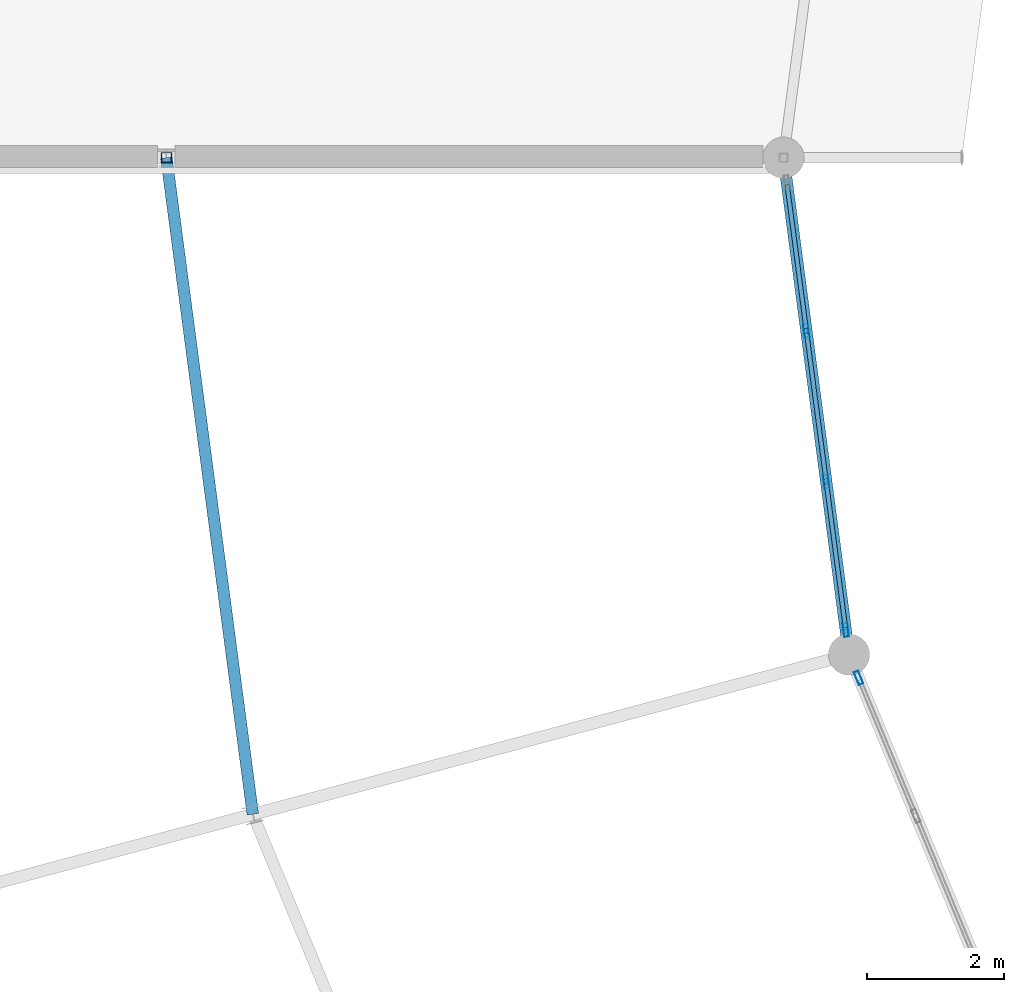
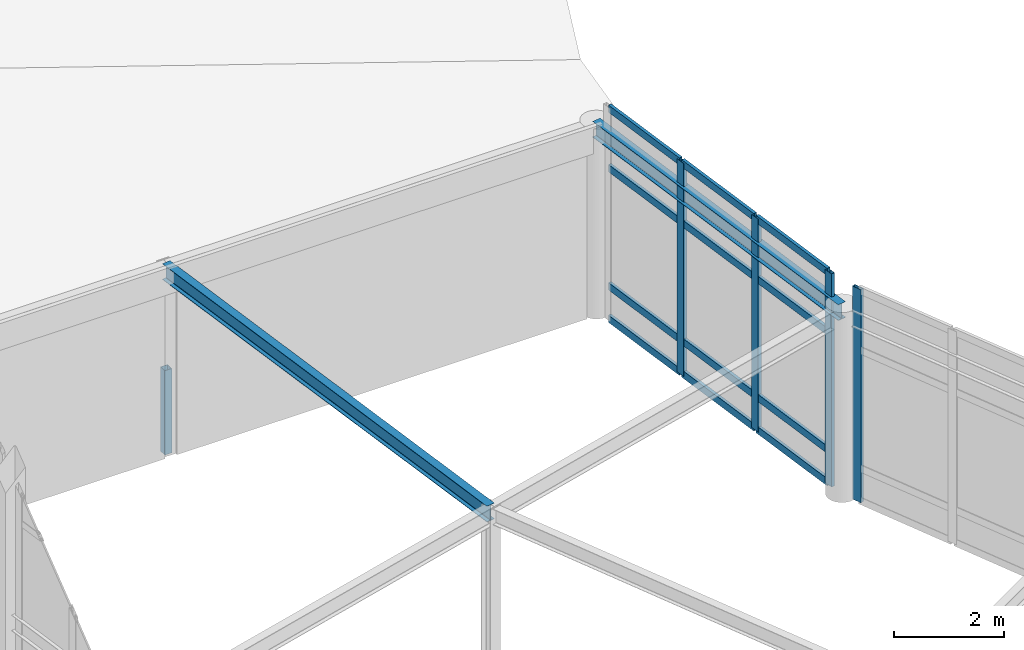
# One storey, part 33 of 93: 17 members, 2 beams, 2 elements without a shape of their own.
"""IFC4 building model written with IfcOpenShell, lengths in metres."""

from ifc_helpers import new_model, si_unit, direction, frame, origin, origin_2d, place, context, subcontext, project, spatial, hollow_rectangle, i_section, extrude, material, material_profile, profile_set, type_object, element, aggregate, save


model = new_model("IFC4")

# Units and contexts
model_context = context("Model", 3, precision=1e-05, world=origin(), true_north=direction((0.0, 1.0)))
body_context = subcontext(model_context, "Body", "Model", "MODEL_VIEW")
ifc_project = project(units=[si_unit("LENGTHUNIT", "METRE"), si_unit("AREAUNIT", "SQUARE_METRE"), si_unit("VOLUMEUNIT", "CUBIC_METRE"), si_unit("PLANEANGLEUNIT", "RADIAN"), si_unit("MASSUNIT", "GRAM", prefix="KILO")], contexts=[model_context])

# Site, building, storey
site_placement = place(None, origin())
site = spatial("IfcSite", under=ifc_project, at=site_placement, CompositionType="ELEMENT")
building_placement = place(site_placement, origin())
building = spatial("IfcBuilding", under=site, at=building_placement, Name="Vondelvale Polytechnic", CompositionType="ELEMENT")
storey_placement = place(building_placement, frame((0.0, 0.0, 18.0)))
storey = spatial("IfcBuildingStorey", under=building, at=storey_placement, Name="L04", CompositionType="ELEMENT", Elevation=18.0)

# Beams
ifc_material_1 = material(Name="Steel 300PLUS (fy = 300 MPa)", Category="steel")
ifc_material_profile_1 = material_profile(ifc_material_1, i_section(OverallWidth=0.1708984375, OverallDepth=0.35205078125, WebThickness=0.0068359375, FlangeThickness=0.009765625, FilletRadius=0.011474609375, at=origin_2d()), Name="360UB44.7")
ifc_profile_set_1 = profile_set([ifc_material_profile_1], Name="Steel 300PLUS (fy = 300 MPa)")
beam_type = type_object("IfcBeamType", Name="BM-UB360L", PredefinedType="BEAM", material=ifc_profile_set_1)
beam_1_placement = place(storey_placement, frame((74.0, 72.0, 4.02392578125), z_axis=(0.13053140969, -0.991444174467, 0.0), x_axis=(0.991444174467, 0.13053140969, 0.0)))
element("IfcBeam", 1, at=beam_1_placement, inside=storey, type_object=beam_type, Name="L04 RE B-24", PredefinedType="BEAM", context=body_context, shape_type="SweptSolid", body=[
    extrude(i_section(OverallWidth=0.1708984375, OverallDepth=0.35205078125, WebThickness=0.0068359375, FlangeThickness=0.009765625, FilletRadius=0.011474609375, at=origin_2d()), origin(), (0.0, 0.0, 1.0), 7.309326171875),
])
beam_2_placement = place(storey_placement, frame((65.0, 72.0, 4.02392578125), z_axis=(0.130524472487, -0.991445087779, 0.0), x_axis=(0.991445087779, 0.130524472487, 0.0)))
element("IfcBeam", 2, at=beam_2_placement, inside=storey, type_object=beam_type, Name="L04 RE B-24", PredefinedType="BEAM", context=body_context, shape_type="SweptSolid", body=[
    extrude(i_section(OverallWidth=0.1708984375, OverallDepth=0.35205078125, WebThickness=0.0068359375, FlangeThickness=0.009765625, FilletRadius=0.011474609375, at=origin_2d()), origin(), (0.0, 0.0, 1.0), 9.658935546875),
])

# Curtain wall, members
ifc_material_2 = material(Name="Anodised extruded aluminium 6063-T6", Category="aluminium")
curtain_wall_type = type_object("IfcCurtainWallType", Name="CW-RING-CLOISTER", PredefinedType="NOTDEFINED", material=ifc_material_2)
curtain_wall_1_placement = place(storey_placement, origin())
curtain_wall_1 = element("IfcCurtainWall", 3, at=curtain_wall_1_placement, inside=storey, type_object=curtain_wall_type, Name="L04 architectural curtain wall CW-03-271", PredefinedType="NOTDEFINED")
ifc_material_profile_2 = material_profile(ifc_material_2, hollow_rectangle(XDim=0.070068359375, YDim=0.199951171875, WallThickness=0.00390625, at=origin_2d()), Name="CW-MUL-200x70")
ifc_profile_set_2 = profile_set([ifc_material_profile_2], Name="Anodised extruded aluminium 6063-T6")
member_type_1 = type_object("IfcMemberType", Name="CW-MUL-70x200", PredefinedType="MULLION", material=ifc_profile_set_2)
member_1_placement = place(storey_placement, frame((74.332275390625, 69.475830078125, 0.0), z_axis=(0.0, 0.0, 1.0), x_axis=(0.99144462243, 0.130528007165, 0.0)))
member_1 = element("IfcMember", 4, at=member_1_placement, type_object=member_type_1, Name="CW-03-271 mullion 2", PredefinedType="MULLION", context=body_context, shape_type="SweptSolid", body=[
    extrude(hollow_rectangle(XDim=0.070068359375, YDim=0.199951171875, WallThickness=0.00390625, at=origin_2d()), origin(), (0.0, 0.0, 1.0), 4.713134765625),
])
member_2_placement = place(storey_placement, frame((74.621826171875, 67.27734375, 0.0), z_axis=(0.0, 0.0, 1.0), x_axis=(0.99144462243, 0.130528007165, 0.0)))
member_2 = element("IfcMember", 5, at=member_2_placement, type_object=member_type_1, Name="CW-03-271 mullion 3", PredefinedType="MULLION", context=body_context, shape_type="SweptSolid", body=[
    extrude(hollow_rectangle(XDim=0.070068359375, YDim=0.199951171875, WallThickness=0.00390625, at=origin_2d()), origin(), (0.0, 0.0, 1.0), 4.713134765625),
])
member_3_placement = place(storey_placement, frame((74.90673828125, 65.113525390625, 0.0), z_axis=(0.0, 0.0, 1.0), x_axis=(0.99144462243, 0.130528007165, 0.0)))
member_3 = element("IfcMember", 6, at=member_3_placement, type_object=member_type_1, Name="CW-03-271 mullion 4", PredefinedType="MULLION", context=body_context, shape_type="SweptSolid", body=[
    extrude(hollow_rectangle(XDim=0.070068359375, YDim=0.199951171875, WallThickness=0.00390625, at=origin_2d()), origin(), (0.0, 0.0, 1.0), 4.713134765625),
])

# Curtain wall, member
curtain_wall_2_placement = place(storey_placement, origin())
curtain_wall_2 = element("IfcCurtainWall", 7, at=curtain_wall_2_placement, inside=storey, type_object=curtain_wall_type, Name="L04 architectural curtain wall CW-03-291", PredefinedType="NOTDEFINED")
member_4_placement = place(storey_placement, frame((75.09375, 64.415771484375, 0.0), z_axis=(0.0, 0.0, 1.0), x_axis=(0.923881562419, 0.382678531697, 0.0)))
member_4 = element("IfcMember", 8, at=member_4_placement, type_object=member_type_1, Name="CW-03-291 mullion 1", PredefinedType="MULLION", context=body_context, shape_type="SweptSolid", body=[
    extrude(hollow_rectangle(XDim=0.070068359375, YDim=0.199951171875, WallThickness=0.00390625, at=origin_2d()), origin(), (0.0, 0.0, 1.0), 4.713134765625),
])
aggregate(curtain_wall_2, [member_4])

# Member
ifc_material_profile_3 = material_profile(ifc_material_2, hollow_rectangle(XDim=0.06494140625, YDim=0.159912109375, WallThickness=0.00341796875, at=origin_2d()), Name="CW-TRN-160x65")
ifc_profile_set_3 = profile_set([ifc_material_profile_3], Name="Anodised extruded aluminium 6063-T6")
member_type_2 = type_object("IfcMemberType", Name="CW-TRN-70x160", PredefinedType="USERDEFINED", material=ifc_profile_set_3)
member_5_placement = place(storey_placement, frame((74.052001953125, 71.604736328125, 0.032470703125), z_axis=(0.130604000296, -0.99143461464, 0.0), x_axis=(0.99143461464, 0.130604000296, 0.0)))
member_5 = element("IfcMember", 9, at=member_5_placement, type_object=member_type_2, Name="CW-03-271 transom 1.1", ObjectType="TRANSOM", PredefinedType="USERDEFINED", context=body_context, shape_type="SweptSolid", body=[
    extrude(hollow_rectangle(XDim=0.06494140625, YDim=0.159912109375, WallThickness=0.00341796875, at=origin_2d()), origin(), (0.0, 0.0, 1.0), 2.1123046875),
])

member_6_placement = place(storey_placement, frame((74.052001953125, 71.604736328125, 0.75), z_axis=(0.130604000296, -0.99143461464, 0.0), x_axis=(0.99143461464, 0.130604000296, 0.0)))
member_6 = element("IfcMember", 10, at=member_6_placement, type_object=member_type_2, Name="CW-03-271 transom 1.2", ObjectType="TRANSOM", PredefinedType="USERDEFINED", context=body_context, shape_type="SweptSolid", body=[
    extrude(hollow_rectangle(XDim=0.06494140625, YDim=0.159912109375, WallThickness=0.00341796875, at=origin_2d()), origin(), (0.0, 0.0, 1.0), 2.1123046875),
])

member_7_placement = place(storey_placement, frame((74.052001953125, 71.604736328125, 3.36328125), z_axis=(0.130604000296, -0.99143461464, 0.0), x_axis=(0.99143461464, 0.130604000296, 0.0)))
member_7 = element("IfcMember", 11, at=member_7_placement, type_object=member_type_2, Name="CW-03-271 transom 1.3", ObjectType="TRANSOM", PredefinedType="USERDEFINED", context=body_context, shape_type="SweptSolid", body=[
    extrude(hollow_rectangle(XDim=0.06494140625, YDim=0.159912109375, WallThickness=0.00341796875, at=origin_2d()), origin(), (0.0, 0.0, 1.0), 2.1123046875),
])

member_8_placement = place(storey_placement, frame((74.052001953125, 71.604736328125, 4.6806640625), z_axis=(0.130604000296, -0.99143461464, 0.0), x_axis=(0.99143461464, 0.130604000296, 0.0)))
member_8 = element("IfcMember", 12, at=member_8_placement, type_object=member_type_2, Name="CW-03-271 transom 1.4", ObjectType="TRANSOM", PredefinedType="USERDEFINED", context=body_context, shape_type="SweptSolid", body=[
    extrude(hollow_rectangle(XDim=0.06494140625, YDim=0.159912109375, WallThickness=0.00341796875, at=origin_2d()), origin(), (0.0, 0.0, 1.0), 2.1123046875),
])

member_9_placement = place(storey_placement, frame((74.3369140625, 69.441162109375, 0.032470703125), z_axis=(0.1305103875, -0.991446941977, 0.0), x_axis=(0.991446941977, 0.1305103875, 0.0)))
member_9 = element("IfcMember", 13, at=member_9_placement, type_object=member_type_2, Name="CW-03-271 transom 2.1", ObjectType="TRANSOM", PredefinedType="USERDEFINED", context=body_context, shape_type="SweptSolid", body=[
    extrude(hollow_rectangle(XDim=0.06494140625, YDim=0.159912109375, WallThickness=0.00341796875, at=origin_2d()), origin(), (0.0, 0.0, 1.0), 2.1474609375),
])

member_10_placement = place(storey_placement, frame((74.3369140625, 69.441162109375, 0.75), z_axis=(0.1305103875, -0.991446941977, 0.0), x_axis=(0.991446941977, 0.1305103875, 0.0)))
member_10 = element("IfcMember", 14, at=member_10_placement, type_object=member_type_2, Name="CW-03-271 transom 2.2", ObjectType="TRANSOM", PredefinedType="USERDEFINED", context=body_context, shape_type="SweptSolid", body=[
    extrude(hollow_rectangle(XDim=0.06494140625, YDim=0.159912109375, WallThickness=0.00341796875, at=origin_2d()), origin(), (0.0, 0.0, 1.0), 2.1474609375),
])

member_11_placement = place(storey_placement, frame((74.3369140625, 69.441162109375, 3.36328125), z_axis=(0.1305103875, -0.991446941977, 0.0), x_axis=(0.991446941977, 0.1305103875, 0.0)))
member_11 = element("IfcMember", 15, at=member_11_placement, type_object=member_type_2, Name="CW-03-271 transom 2.3", ObjectType="TRANSOM", PredefinedType="USERDEFINED", context=body_context, shape_type="SweptSolid", body=[
    extrude(hollow_rectangle(XDim=0.06494140625, YDim=0.159912109375, WallThickness=0.00341796875, at=origin_2d()), origin(), (0.0, 0.0, 1.0), 2.1474609375),
])

member_12_placement = place(storey_placement, frame((74.3369140625, 69.441162109375, 4.6806640625), z_axis=(0.1305103875, -0.991446941977, 0.0), x_axis=(0.991446941977, 0.1305103875, 0.0)))
member_12 = element("IfcMember", 16, at=member_12_placement, type_object=member_type_2, Name="CW-03-271 transom 2.4", ObjectType="TRANSOM", PredefinedType="USERDEFINED", context=body_context, shape_type="SweptSolid", body=[
    extrude(hollow_rectangle(XDim=0.06494140625, YDim=0.159912109375, WallThickness=0.00341796875, at=origin_2d()), origin(), (0.0, 0.0, 1.0), 2.1474609375),
])

member_13_placement = place(storey_placement, frame((74.626220703125, 67.24267578125, 0.032470703125), z_axis=(0.130589036243, -0.991436585775, 0.0), x_axis=(0.991436585775, 0.130589036243, 0.0)))
member_13 = element("IfcMember", 17, at=member_13_placement, type_object=member_type_2, Name="CW-03-271 transom 3.1", ObjectType="TRANSOM", PredefinedType="USERDEFINED", context=body_context, shape_type="SweptSolid", body=[
    extrude(hollow_rectangle(XDim=0.06494140625, YDim=0.159912109375, WallThickness=0.00341796875, at=origin_2d()), origin(), (0.0, 0.0, 1.0), 2.112548828125),
])

member_14_placement = place(storey_placement, frame((74.626220703125, 67.24267578125, 0.75), z_axis=(0.130589036243, -0.991436585775, 0.0), x_axis=(0.991436585775, 0.130589036243, 0.0)))
member_14 = element("IfcMember", 18, at=member_14_placement, type_object=member_type_2, Name="CW-03-271 transom 3.2", ObjectType="TRANSOM", PredefinedType="USERDEFINED", context=body_context, shape_type="SweptSolid", body=[
    extrude(hollow_rectangle(XDim=0.06494140625, YDim=0.159912109375, WallThickness=0.00341796875, at=origin_2d()), origin(), (0.0, 0.0, 1.0), 2.112548828125),
])

member_15_placement = place(storey_placement, frame((74.626220703125, 67.24267578125, 3.36328125), z_axis=(0.130589036243, -0.991436585775, 0.0), x_axis=(0.991436585775, 0.130589036243, 0.0)))
member_15 = element("IfcMember", 19, at=member_15_placement, type_object=member_type_2, Name="CW-03-271 transom 3.3", ObjectType="TRANSOM", PredefinedType="USERDEFINED", context=body_context, shape_type="SweptSolid", body=[
    extrude(hollow_rectangle(XDim=0.06494140625, YDim=0.159912109375, WallThickness=0.00341796875, at=origin_2d()), origin(), (0.0, 0.0, 1.0), 2.112548828125),
])

member_16_placement = place(storey_placement, frame((74.626220703125, 67.24267578125, 4.6806640625), z_axis=(0.130589036243, -0.991436585775, 0.0), x_axis=(0.991436585775, 0.130589036243, 0.0)))
member_16 = element("IfcMember", 20, at=member_16_placement, type_object=member_type_2, Name="CW-03-271 transom 3.4", ObjectType="TRANSOM", PredefinedType="USERDEFINED", context=body_context, shape_type="SweptSolid", body=[
    extrude(hollow_rectangle(XDim=0.06494140625, YDim=0.159912109375, WallThickness=0.00341796875, at=origin_2d()), origin(), (0.0, 0.0, 1.0), 2.112548828125),
])

aggregate(curtain_wall_1, [member_1, member_2, member_3, member_5, member_6, member_7, member_8, member_9, member_10, member_11, member_12, member_13, member_14, member_15, member_16])

ifc_material_3 = material(Name="Steel C350L0 (fy = 350 MPa)", Category="steel")
ifc_material_profile_4 = material_profile(ifc_material_3, hollow_rectangle(XDim=0.14990234375, YDim=0.14990234375, WallThickness=0.006103515625, at=origin_2d()), Name="150x150x6.0SHS")
ifc_profile_set_4 = profile_set([ifc_material_profile_4], Name="Steel C350L0 (fy = 350 MPa)")
member_type_3 = type_object("IfcMemberType", Name="ROOF TRUSS POST 150SHS", PredefinedType="POST", material=ifc_profile_set_4)
member_17_placement = place(storey_placement, frame((65.0, 72.0, 0.0), z_axis=(0.0, 0.0, 1.0), x_axis=(1.0, 0.0, 0.0)))
element("IfcMember", 21, at=member_17_placement, inside=storey, type_object=member_type_3, Name="Ring step mid roof post 11", PredefinedType="POST", context=body_context, shape_type="SweptSolid", body=[
    extrude(hollow_rectangle(XDim=0.14990234375, YDim=0.14990234375, WallThickness=0.006103515625, at=origin_2d()), origin(), (0.0, 0.0, 1.0), 1.86572265625),
])

save(model, "model.ifc")
